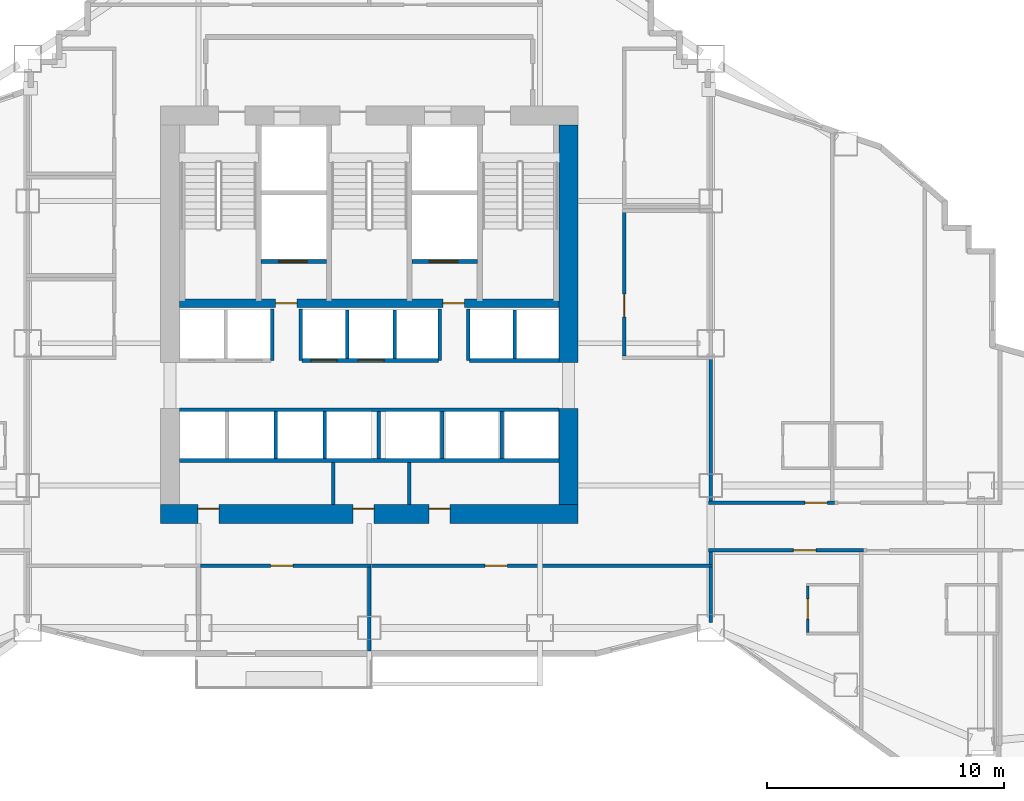
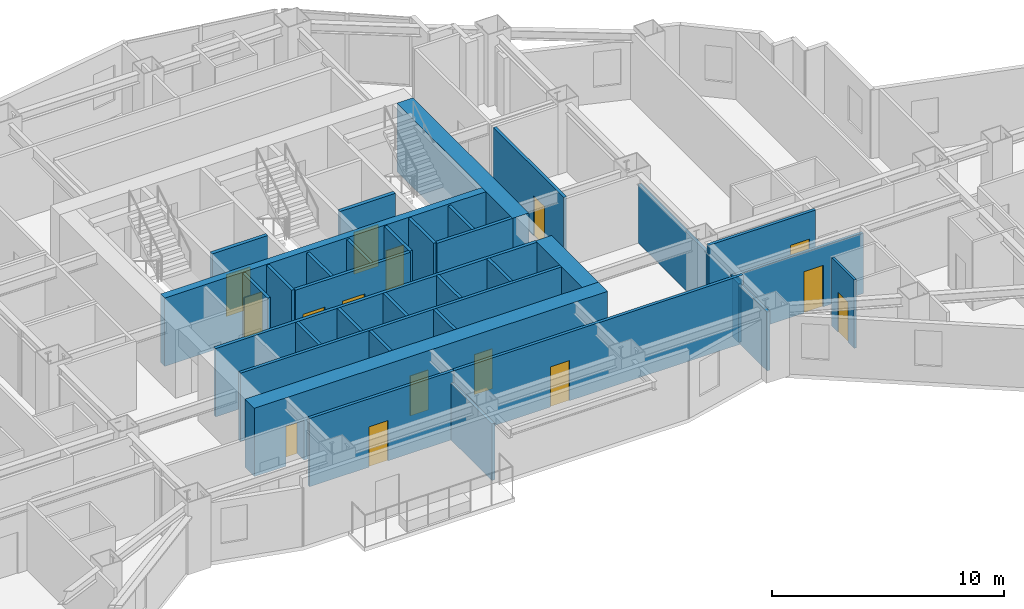
# One storey, part 9 of 15: 34 walls, 15 doors, 15 openings.
"""IFC4 building model written with IfcOpenShell, lengths in metres."""

from ifc_helpers import new_model, si_unit, direction, frame, frame_2d, origin, place, context, subcontext, project, spatial, rectangle, extrude, material, layer, layer_set, type_object, element, fill, save


model = new_model("IFC4")

# Units and contexts
model_context = context("Model", 3, precision=1e-05, world=origin(), true_north=direction((0.0, 1.0)))
body_context = subcontext(model_context, "Body", "Model", "MODEL_VIEW")
ifc_project = project(units=[si_unit("LENGTHUNIT", "METRE"), si_unit("AREAUNIT", "SQUARE_METRE"), si_unit("VOLUMEUNIT", "CUBIC_METRE"), si_unit("PLANEANGLEUNIT", "RADIAN"), si_unit("MASSUNIT", "GRAM", prefix="KILO")], contexts=[model_context])

# Site, building, storey
site_placement = place(None, origin())
site = spatial("IfcSite", under=ifc_project, at=site_placement, CompositionType="ELEMENT")
building_placement = place(site_placement, origin())
building = spatial("IfcBuilding", under=site, at=building_placement, Name="Haolan Belvedere Tower", CompositionType="ELEMENT")
storey_placement = place(building_placement, frame((0.0, 0.0, 66.60009765625)))
storey = spatial("IfcBuildingStorey", under=building, at=storey_placement, Name="L16", CompositionType="ELEMENT", Elevation=66.60009765625)

# Wall, openings, doors
ifc_material_1 = material(Name="Concrete C70/85", Category="concrete")
ifc_layer_1 = layer(ifc_material_1, 0.800048828125, Name="Concrete C70/85")
ifc_layer_set_1 = layer_set([ifc_layer_1], Name="Concrete C70/85")
wall_type_1 = type_object("IfcWallType", Name="WL-CORE-800", PredefinedType="SHEAR", material=ifc_layer_set_1)
wall_1_placement = place(storey_placement, frame((29.60009765625, 26.39990234375, 0.0), z_axis=(0.0, 0.0, 1.0), x_axis=(1.0, 0.0, 0.0)))
wall_1 = element("IfcWall", 1, at=wall_1_placement, inside=storey, type_object=wall_type_1, Name="L16 central core south shear wall", PredefinedType="SHEAR", context=body_context, shape_type="SweptSolid", body=[
    extrude(rectangle(XDim=17.599853515625, YDim=0.800048828125, at=frame_2d((8.7998046875, 0.0))), origin(), (0.0, 0.0, 1.0), 3.599853515625),
])
opening_1_placement = place(wall_1_placement, frame((2.469970703125, 0.0, 0.0), z_axis=(0.0, 0.0, 1.0), x_axis=(-1.0, 0.0, 0.0)))
opening_1 = element("IfcOpeningElement", 2, at=opening_1_placement, cuts=wall_1, Name="Opening FD-05", PredefinedType="OPENING", context=body_context, shape_type="SweptSolid", body=[
    extrude(rectangle(XDim=0.89990234375, YDim=2.10009765625, at=frame_2d((0.449951171875, 1.050048828125))), frame((0.0, 0.409912109375, 0.0), z_axis=(0.0, -1.0, 0.0), x_axis=(1.0, 0.0, 0.0)), (0.0, 0.0, 1.0), 0.820068359375),
])
opening_2_placement = place(wall_1_placement, frame((9.010009765625, 0.0, 0.0), z_axis=(0.0, 0.0, 1.0), x_axis=(-1.0, 0.0, 0.0)))
opening_2 = element("IfcOpeningElement", 3, at=opening_2_placement, cuts=wall_1, Name="Opening FD-05", PredefinedType="OPENING", context=body_context, shape_type="SweptSolid", body=[
    extrude(rectangle(XDim=0.89990234375, YDim=2.10009765625, at=frame_2d((0.449951171875, 1.050048828125))), frame((0.0, 0.409912109375, 0.0), z_axis=(0.0, -1.0, 0.0), x_axis=(1.0, 0.0, 0.0)), (0.0, 0.0, 1.0), 0.820068359375),
])
opening_3_placement = place(wall_1_placement, frame((12.2099609375, 0.0, 0.0), z_axis=(0.0, 0.0, 1.0), x_axis=(-1.0, 0.0, 0.0)))
opening_3 = element("IfcOpeningElement", 4, at=opening_3_placement, cuts=wall_1, Name="Opening FD-05", PredefinedType="OPENING", context=body_context, shape_type="SweptSolid", body=[
    extrude(rectangle(XDim=0.89990234375, YDim=2.10009765625, at=frame_2d((0.449951171875, 1.050048828125))), frame((0.0, 0.409912109375, 0.0), z_axis=(0.0, -1.0, 0.0), x_axis=(1.0, 0.0, 0.0)), (0.0, 0.0, 1.0), 0.820068359375),
])
ifc_material_2 = material(Name="Galvanised fire-rated steel", Category="steel")
door_type_1 = type_object("IfcDoorType", Name="DR-FD60-900", OperationType="NOTDEFINED", PredefinedType="DOOR", material=ifc_material_2)
door_1_placement = place(opening_1_placement, origin())
door_1 = element("IfcDoor", 5, at=door_1_placement, inside=storey, type_object=door_type_1, Name="L16 door CD-L16-SCV-1", OperationType="SINGLE_SWING_LEFT", OverallHeight=2.10009765625, OverallWidth=0.89990234375, PredefinedType="DOOR", context=body_context, shape_type="SweptSolid", body=[
    extrude(rectangle(XDim=0.89990234375, YDim=2.10009765625, at=frame_2d((0.449951171875, 1.050048828125))), frame((0.0, -0.19482421875, 0.0), z_axis=(0.0, -1.0, 0.0), x_axis=(1.0, 0.0, 0.0)), (0.0, 0.0, 1.0), 0.050048828125),
])
fill(opening_1, door_1)
door_2_placement = place(opening_2_placement, origin())
door_2 = element("IfcDoor", 6, at=door_2_placement, inside=storey, type_object=door_type_1, Name="L16 door CD-L16-SCV-2", OperationType="SINGLE_SWING_RIGHT", OverallHeight=2.10009765625, OverallWidth=0.89990234375, PredefinedType="DOOR", context=body_context, shape_type="SweptSolid", body=[
    extrude(rectangle(XDim=0.89990234375, YDim=2.10009765625, at=frame_2d((0.449951171875, 1.050048828125))), frame((0.0, -0.19482421875, 0.0), z_axis=(0.0, -1.0, 0.0), x_axis=(1.0, 0.0, 0.0)), (0.0, 0.0, 1.0), 0.050048828125),
])
fill(opening_2, door_2)
door_3_placement = place(opening_3_placement, origin())
door_3 = element("IfcDoor", 7, at=door_3_placement, inside=storey, type_object=door_type_1, Name="L16 door CD-L16-SCV-3", OperationType="SINGLE_SWING_LEFT", OverallHeight=2.10009765625, OverallWidth=0.89990234375, PredefinedType="DOOR", context=body_context, shape_type="SweptSolid", body=[
    extrude(rectangle(XDim=0.89990234375, YDim=2.10009765625, at=frame_2d((0.449951171875, 1.050048828125))), frame((0.0, -0.19482421875, 0.0), z_axis=(0.0, -1.0, 0.0), x_axis=(1.0, 0.0, 0.0)), (0.0, 0.0, 1.0), 0.050048828125),
])
fill(opening_3, door_3)

# Walls
wall_2_placement = place(storey_placement, frame((46.800048828125, 26.800048828125, 0.0), z_axis=(0.0, 0.0, 1.0), x_axis=(0.0, 1.0, 0.0)))
element("IfcWall", 8, at=wall_2_placement, inside=storey, type_object=wall_type_1, Name="L16 central core shear wall ES", PredefinedType="SHEAR", context=body_context, shape_type="SweptSolid", body=[
    extrude(rectangle(XDim=4.050048828125, YDim=0.800048828125, at=frame_2d((2.02490234375, 0.0))), origin(), (0.0, 0.0, 1.0), 3.599853515625),
])
wall_3_placement = place(storey_placement, frame((46.800048828125, 32.800048828125, 0.0), z_axis=(0.0, 0.0, 1.0), x_axis=(0.0, 1.0, 0.0)))
element("IfcWall", 9, at=wall_3_placement, inside=storey, type_object=wall_type_1, Name="L16 central core shear wall EN", PredefinedType="SHEAR", context=body_context, shape_type="SweptSolid", body=[
    extrude(rectangle(XDim=10.0, YDim=0.800048828125, at=frame_2d((5.0, 0.0))), origin(), (0.0, 0.0, 1.0), 3.599853515625),
])
ifc_material_3 = material(Name="Double gypsum acoustic stud partition", Category="masonry")
ifc_layer_2 = layer(ifc_material_3, 0.14990234375, Name="Double gypsum acoustic stud partition")
ifc_layer_set_2 = layer_set([ifc_layer_2], Name="Double gypsum acoustic stud partition")
wall_type_2 = type_object("IfcWallType", Name="WL-PART-150", PredefinedType="PARTITIONING", material=ifc_layer_set_2)
wall_4_placement = place(storey_placement, frame((30.39990234375, 28.659912109375, 0.0), z_axis=(0.0, 0.0, 1.0), x_axis=(1.0, 0.0, 0.0)))
element("IfcWall", 10, at=wall_4_placement, inside=storey, type_object=wall_type_2, Name="L16 interior partition IW-L16-SSTRIP-N", PredefinedType="PARTITIONING", context=body_context, shape_type="SweptSolid", body=[
    extrude(rectangle(XDim=16.0, YDim=0.14990234375, at=frame_2d((8.0, 0.0))), origin(), (0.0, 0.0, 1.0), 3.599853515625),
])
for number, where, z_axis, x_axis, name in (
    (11, (36.8798828125, 26.81005859375, 0.0), (0.0, 0.0, 1.0), (0.0, 1.0, 0.0), "L16 interior partition IW-L16-SCV-DIV-1"),
    (12, (40.080078125, 26.81005859375, 0.0), (0.0, 0.0, 1.0), (0.0, 1.0, 0.0), "L16 interior partition IW-L16-SCV-DIV-2"),
):
    element("IfcWall", number, at=place(storey_placement, frame(where, z_axis=z_axis, x_axis=x_axis)), inside=storey, type_object=wall_type_2, Name=name, PredefinedType="PARTITIONING", context=body_context, shape_type="SweptSolid", body=[
        extrude(rectangle(XDim=1.77001953125, YDim=0.14990234375, at=frame_2d((0.885009765625, 0.0))), origin(), (0.0, 0.0, 1.0), 3.599853515625),
    ])

# Wall, opening, door
wall_5_placement = place(storey_placement, frame((49.159912109375, 33.06005859375, 0.0), z_axis=(0.0, 0.0, 1.0), x_axis=(0.0, 1.0, 0.0)))
wall_5 = element("IfcWall", 13, at=wall_5_placement, inside=storey, type_object=wall_type_2, Name="L16 interior partition IW-L16-HSK-W", PredefinedType="PARTITIONING", context=body_context, shape_type="SweptSolid", body=[
    extrude(rectangle(XDim=6.079833984375, YDim=0.14990234375, at=frame_2d((3.0400390625, 0.0))), origin(), (0.0, 0.0, 1.0), 3.599853515625),
])
opening_4_placement = place(wall_5_placement, frame((1.659912109375, 0.0, 0.0)))
opening_4 = element("IfcOpeningElement", 14, at=opening_4_placement, cuts=wall_5, Name="Opening ID-03", PredefinedType="OPENING", context=body_context, shape_type="SweptSolid", body=[
    extrude(rectangle(XDim=0.949951171875, YDim=2.1201171875, at=frame_2d((0.47509765625, 1.06005859375))), frame((0.0, 0.0849609375, 0.0), z_axis=(0.0, -1.0, 0.0), x_axis=(1.0, 0.0, 0.0)), (0.0, 0.0, 1.0), 0.169921875),
])
ifc_material_4 = material(Name="Painted solid-core timber", Category="wood")
door_type_2 = type_object("IfcDoorType", Name="DR-INT-950", OperationType="NOTDEFINED", PredefinedType="DOOR", material=ifc_material_4)
door_4_placement = place(opening_4_placement, origin())
door_4 = element("IfcDoor", 15, at=door_4_placement, inside=storey, type_object=door_type_2, Name="L16 door ID-L16-HSK", OperationType="SINGLE_SWING_RIGHT", OverallHeight=2.1201171875, OverallWidth=0.949951171875, PredefinedType="DOOR", context=body_context, shape_type="SweptSolid", body=[
    extrude(rectangle(XDim=0.949951171875, YDim=2.1201171875, at=frame_2d((0.47509765625, 1.06005859375))), frame((0.0, 0.02490234375, 0.0), z_axis=(0.0, -1.0, 0.0), x_axis=(1.0, 0.0, 0.0)), (0.0, 0.0, 1.0), 0.050048828125),
])
fill(opening_4, door_4)

wall_6_placement = place(storey_placement, frame((31.281982421875, 24.219970703125, 0.0), z_axis=(0.0, 0.0, 1.0), x_axis=(1.0, 0.0, 0.0)))
wall_6 = element("IfcWall", 16, at=wall_6_placement, inside=storey, type_object=wall_type_2, Name="L16 interior partition IW-L16-KS2-N", PredefinedType="PARTITIONING", context=body_context, shape_type="SweptSolid", body=[
    extrude(rectangle(XDim=7.197998046875, YDim=0.14990234375, at=frame_2d((3.59912109375, 0.0))), origin(), (0.0, 0.0, 1.0), 3.599853515625),
])
opening_5_placement = place(wall_6_placement, frame((3.912841796875, 0.0, 0.0), z_axis=(0.0, 0.0, 1.0), x_axis=(-1.0, 0.0, 0.0)))
opening_5 = element("IfcOpeningElement", 17, at=opening_5_placement, cuts=wall_6, Name="Opening ID-03", PredefinedType="OPENING", context=body_context, shape_type="SweptSolid", body=[
    extrude(rectangle(XDim=0.949951171875, YDim=2.1201171875, at=frame_2d((0.47509765625, 1.06005859375))), frame((0.0, 0.0849609375, 0.0), z_axis=(0.0, -1.0, 0.0), x_axis=(1.0, 0.0, 0.0)), (0.0, 0.0, 1.0), 0.169921875),
])
door_5_placement = place(opening_5_placement, origin())
door_5 = element("IfcDoor", 18, at=door_5_placement, inside=storey, type_object=door_type_2, Name="L16 door ID-L16-KS2", OperationType="SINGLE_SWING_LEFT", OverallHeight=2.1201171875, OverallWidth=0.949951171875, PredefinedType="DOOR", context=body_context, shape_type="SweptSolid", body=[
    extrude(rectangle(XDim=0.949951171875, YDim=2.1201171875, at=frame_2d((0.47509765625, 1.06005859375))), frame((0.0, 0.02490234375, 0.0), z_axis=(0.0, -1.0, 0.0), x_axis=(1.0, 0.0, 0.0)), (0.0, 0.0, 1.0), 0.050048828125),
])
fill(opening_5, door_5)

# Wall
wall_7_placement = place(storey_placement, frame((38.39990234375, 20.625, 0.0), z_axis=(0.0, 0.0, 1.0), x_axis=(0.0, 1.0, 0.0)))
element("IfcWall", 19, at=wall_7_placement, inside=storey, type_object=wall_type_2, Name="L16 interior partition IW-L16-KS2-E", PredefinedType="PARTITIONING", context=body_context, shape_type="SweptSolid", body=[
    extrude(rectangle(XDim=3.534912109375, YDim=0.14990234375, at=frame_2d((1.767578125, 0.0))), origin(), (0.0, 0.0, 1.0), 2.98486328125),
])

# Wall, opening, door
wall_8_placement = place(storey_placement, frame((38.48193359375, 24.219970703125, 0.0), z_axis=(0.0, 0.0, 1.0), x_axis=(1.0, 0.0, 0.0)))
wall_8 = element("IfcWall", 20, at=wall_8_placement, inside=storey, type_object=wall_type_2, Name="L16 interior partition IW-L16-KS3-N", PredefinedType="PARTITIONING", context=body_context, shape_type="SweptSolid", body=[
    extrude(rectangle(XDim=14.39794921875, YDim=0.14990234375, at=frame_2d((7.198974609375, 0.0))), origin(), (0.0, 0.0, 1.0), 3.599853515625),
])
opening_6_placement = place(wall_8_placement, frame((5.742919921875, 0.0, 0.0), z_axis=(0.0, 0.0, 1.0), x_axis=(-1.0, 0.0, 0.0)))
opening_6 = element("IfcOpeningElement", 21, at=opening_6_placement, cuts=wall_8, Name="Opening ID-03", PredefinedType="OPENING", context=body_context, shape_type="SweptSolid", body=[
    extrude(rectangle(XDim=0.949951171875, YDim=2.1201171875, at=frame_2d((0.47509765625, 1.06005859375))), frame((0.0, 0.0849609375, 0.0), z_axis=(0.0, -1.0, 0.0), x_axis=(1.0, 0.0, 0.0)), (0.0, 0.0, 1.0), 0.169921875),
])
door_6_placement = place(opening_6_placement, origin())
door_6 = element("IfcDoor", 22, at=door_6_placement, inside=storey, type_object=door_type_2, Name="L16 door ID-L16-KS3", OperationType="SINGLE_SWING_RIGHT", OverallHeight=2.1201171875, OverallWidth=0.949951171875, PredefinedType="DOOR", context=body_context, shape_type="SweptSolid", body=[
    extrude(rectangle(XDim=0.949951171875, YDim=2.1201171875, at=frame_2d((0.47509765625, 1.06005859375))), frame((0.0, 0.02490234375, 0.0), z_axis=(0.0, -1.0, 0.0), x_axis=(1.0, 0.0, 0.0)), (0.0, 0.0, 1.0), 0.050048828125),
])
fill(opening_6, door_6)

# Wall
wall_9_placement = place(storey_placement, frame((52.800048828125, 21.818603515625, 0.0), z_axis=(0.0, 0.0, 1.0), x_axis=(0.0, 1.0, 0.0)))
element("IfcWall", 23, at=wall_9_placement, inside=storey, type_object=wall_type_2, Name="L16 interior partition IW-L16-KS3-E", PredefinedType="PARTITIONING", context=body_context, shape_type="SweptSolid", body=[
    extrude(rectangle(XDim=2.34130859375, YDim=0.14990234375, at=frame_2d((1.170654296875, 0.0))), origin(), (0.0, 0.0, 1.0), 3.096923828125),
])

# Wall, opening, door
wall_10_placement = place(storey_placement, frame((52.699951171875, 26.8798828125, 0.0), z_axis=(0.0, 0.0, 1.0), x_axis=(1.0, 0.0, 0.0)))
wall_10 = element("IfcWall", 24, at=wall_10_placement, inside=storey, type_object=wall_type_2, Name="L16 interior partition IW-L16-T4N1-S", PredefinedType="PARTITIONING", context=body_context, shape_type="SweptSolid", body=[
    extrude(rectangle(XDim=5.320068359375, YDim=0.14990234375, at=frame_2d((2.66015625, 0.0))), origin(), (0.0, 0.0, 1.0), 3.599853515625),
])
opening_7_placement = place(wall_10_placement, frame((4.0654296875, 0.0, 0.0)))
opening_7 = element("IfcOpeningElement", 25, at=opening_7_placement, cuts=wall_10, Name="Opening ID-01", PredefinedType="OPENING", context=body_context, shape_type="SweptSolid", body=[
    extrude(rectangle(XDim=0.949951171875, YDim=2.179931640625, at=frame_2d((0.47509765625, 1.08984375))), frame((0.0, 0.0849609375, 0.0), z_axis=(0.0, -1.0, 0.0), x_axis=(1.0, 0.0, 0.0)), (0.0, 0.0, 1.0), 0.169921875),
])
ifc_material_5 = material(Name="Acoustic walnut veneer fire-rated timber", Category="wood")
door_type_3 = type_object("IfcDoorType", Name="DR-SUITE-950", OperationType="NOTDEFINED", PredefinedType="DOOR", material=ifc_material_5)
door_7_placement = place(opening_7_placement, origin())
door_7 = element("IfcDoor", 26, at=door_7_placement, inside=storey, type_object=door_type_3, Name="L16 door ID-L16-T4N1-ENT", OperationType="SINGLE_SWING_LEFT", OverallHeight=2.179931640625, OverallWidth=0.949951171875, PredefinedType="DOOR", context=body_context, shape_type="SweptSolid", body=[
    extrude(rectangle(XDim=0.949951171875, YDim=2.179931640625, at=frame_2d((0.47509765625, 1.08984375))), frame((0.0, 0.02490234375, 0.0), z_axis=(0.0, -1.0, 0.0), x_axis=(1.0, 0.0, 0.0)), (0.0, 0.0, 1.0), 0.050048828125),
])
fill(opening_7, door_7)

# Wall
wall_11_placement = place(storey_placement, frame((52.800048828125, 26.93994140625, 0.0), z_axis=(0.0, 0.0, 1.0), x_axis=(0.0, 1.0, 0.0)))
element("IfcWall", 27, at=wall_11_placement, inside=storey, type_object=wall_type_2, Name="L16 interior partition IW-L16-T4N1-W", PredefinedType="PARTITIONING", context=body_context, shape_type="SweptSolid", body=[
    extrude(rectangle(XDim=6.0, YDim=0.14990234375, at=frame_2d((3.0, 0.0))), origin(), (0.0, 0.0, 1.0), 3.096923828125),
])

# Wall, opening, door
wall_12_placement = place(storey_placement, frame((52.699951171875, 24.8701171875, 0.0), z_axis=(0.0, 0.0, 1.0), x_axis=(1.0, 0.0, 0.0)))
wall_12 = element("IfcWall", 28, at=wall_12_placement, inside=storey, type_object=wall_type_2, Name="L16 interior partition IW-L16-T4S1-N", PredefinedType="PARTITIONING", context=body_context, shape_type="SweptSolid", body=[
    extrude(rectangle(XDim=6.5400390625, YDim=0.14990234375, at=frame_2d((3.27001953125, 0.0))), origin(), (0.0, 0.0, 1.0), 3.184814453125),
])
opening_8_placement = place(wall_12_placement, frame((4.540771484375, 0.0, 0.0), z_axis=(0.0, 0.0, 1.0), x_axis=(-1.0, 0.0, 0.0)))
opening_8 = element("IfcOpeningElement", 29, at=opening_8_placement, cuts=wall_12, Name="Opening ID-01", PredefinedType="OPENING", context=body_context, shape_type="SweptSolid", body=[
    extrude(rectangle(XDim=0.949951171875, YDim=2.179931640625, at=frame_2d((0.47509765625, 1.08984375))), frame((0.0, 0.0849609375, 0.0), z_axis=(0.0, -1.0, 0.0), x_axis=(1.0, 0.0, 0.0)), (0.0, 0.0, 1.0), 0.169921875),
])
door_8_placement = place(opening_8_placement, origin())
door_8 = element("IfcDoor", 30, at=door_8_placement, inside=storey, type_object=door_type_3, Name="L16 door ID-L16-T4S1-ENT", OperationType="SINGLE_SWING_RIGHT", OverallHeight=2.179931640625, OverallWidth=0.949951171875, PredefinedType="DOOR", context=body_context, shape_type="SweptSolid", body=[
    extrude(rectangle(XDim=0.949951171875, YDim=2.179931640625, at=frame_2d((0.47509765625, 1.08984375))), frame((0.0, 0.02490234375, 0.0), z_axis=(0.0, -1.0, 0.0), x_axis=(1.0, 0.0, 0.0)), (0.0, 0.0, 1.0), 0.050048828125),
])
fill(opening_8, door_8)

# Walls
wall_13_placement = place(storey_placement, frame((52.800048828125, 24.280029296875, 0.0), z_axis=(0.0, 0.0, 1.0), x_axis=(0.0, 1.0, 0.0)))
element("IfcWall", 31, at=wall_13_placement, inside=storey, type_object=wall_type_2, Name="L16 interior partition IW-L16-T4S1-W", PredefinedType="PARTITIONING", context=body_context, shape_type="SweptSolid", body=[
    extrude(rectangle(XDim=0.530029296875, YDim=0.14990234375, at=frame_2d((0.26513671875, 0.0))), origin(), (0.0, 0.0, 1.0), 3.096923828125),
])
ifc_material_6 = material(Name="Gypsum fire shaftwall assembly", Category="masonry")
ifc_layer_3 = layer(ifc_material_6, 0.1650390625, Name="Gypsum fire shaftwall assembly")
ifc_layer_set_3 = layer_set([ifc_layer_3], Name="Gypsum fire shaftwall assembly")
wall_type_3 = type_object("IfcWallType", Name="WL-SHAFT-160", PredefinedType="SOLIDWALL", material=ifc_layer_set_3)
for number, where, z_axis, x_axis, name in (
    (32, (34.31005859375, 32.8798828125, 0.0), (0.0, 0.0, 1.0), (0.0, 1.0, 0.0), "L16 interior partition IW-L16-SVP-W-SV1"),
    (33, (35.510009765625, 32.8798828125, 0.0), (0.0, 0.0, 1.0), (0.0, 1.0, 0.0), "L16 interior partition IW-L16-SVP-E-SV1"),
    (34, (41.3701171875, 32.8798828125, 0.0), (0.0, 0.0, 1.0), (0.0, 1.0, 0.0), "L16 interior partition IW-L16-SVP-W-SV2"),
    (35, (42.570068359375, 32.8798828125, 0.0), (0.0, 0.0, 1.0), (0.0, 1.0, 0.0), "L16 interior partition IW-L16-SVP-E-SV2"),
):
    element("IfcWall", number, at=place(storey_placement, frame(where, z_axis=z_axis, x_axis=x_axis)), inside=storey, type_object=wall_type_3, Name=name, PredefinedType="SOLIDWALL", context=body_context, shape_type="SweptSolid", body=[
        extrude(rectangle(XDim=2.170166015625, YDim=0.14990234375, at=frame_2d((1.0849609375, 0.0))), origin(), (0.0, 0.0, 1.0), 3.599853515625),
    ])

# Wall, openings, doors
wall_14_placement = place(storey_placement, frame((35.570068359375, 32.8798828125, 0.0), z_axis=(0.0, 0.0, 1.0), x_axis=(1.0, 0.0, 0.0)))
wall_14 = element("IfcWall", 36, at=wall_14_placement, inside=storey, type_object=wall_type_3, Name="L16 interior partition IW-L16-ROW-PN2", PredefinedType="SOLIDWALL", context=body_context, shape_type="SweptSolid", body=[
    extrude(rectangle(XDim=5.739990234375, YDim=0.159912109375, at=frame_2d((2.8701171875, 0.0))), origin(), (0.0, 0.0, 1.0), 3.599853515625),
])
opening_9_placement = place(wall_14_placement, frame((1.47021484375, 0.0, 0.0), z_axis=(0.0, 0.0, 1.0), x_axis=(-1.0, 0.0, 0.0)))
opening_9 = element("IfcOpeningElement", 37, at=opening_9_placement, cuts=wall_14, Name="Opening LD-01", PredefinedType="OPENING", context=body_context, shape_type="SweptSolid", body=[
    extrude(rectangle(XDim=1.10009765625, YDim=2.199951171875, at=frame_2d((0.550048828125, 1.10009765625))), frame((0.0, 0.08984375, 0.0), z_axis=(0.0, -1.0, 0.0), x_axis=(1.0, 0.0, 0.0)), (0.0, 0.0, 1.0), 0.179931640625),
])
opening_10_placement = place(wall_14_placement, frame((3.460205078125, 0.0, 0.0), z_axis=(0.0, 0.0, 1.0), x_axis=(-1.0, 0.0, 0.0)))
opening_10 = element("IfcOpeningElement", 38, at=opening_10_placement, cuts=wall_14, Name="Opening LD-01", PredefinedType="OPENING", context=body_context, shape_type="SweptSolid", body=[
    extrude(rectangle(XDim=1.10009765625, YDim=2.199951171875, at=frame_2d((0.550048828125, 1.10009765625))), frame((0.0, 0.08984375, 0.0), z_axis=(0.0, -1.0, 0.0), x_axis=(1.0, 0.0, 0.0)), (0.0, 0.0, 1.0), 0.179931640625),
])
ifc_material_7 = material(Name="Brushed champagne stainless steel 316L", Category="steel")
door_type_4 = type_object("IfcDoorType", Name="DR-LIFT-1100", OperationType="SLIDING_TO_LEFT", PredefinedType="DOOR", material=ifc_material_7)
door_9_placement = place(opening_9_placement, origin())
door_9 = element("IfcDoor", 39, at=door_9_placement, inside=storey, type_object=door_type_4, Name="L16 door ID-L16-LD-PL3", OperationType="SLIDING_TO_LEFT", OverallHeight=2.199951171875, OverallWidth=1.10009765625, PredefinedType="DOOR", context=body_context, shape_type="SweptSolid", body=[
    extrude(rectangle(XDim=1.10009765625, YDim=2.199951171875, at=frame_2d((0.550048828125, 1.10009765625))), frame((0.0, 0.02490234375, 0.0), z_axis=(0.0, -1.0, 0.0), x_axis=(1.0, 0.0, 0.0)), (0.0, 0.0, 1.0), 0.050048828125),
])
fill(opening_9, door_9)
door_10_placement = place(opening_10_placement, origin())
door_10 = element("IfcDoor", 40, at=door_10_placement, inside=storey, type_object=door_type_4, Name="L16 door ID-L16-LD-PL4", OperationType="SLIDING_TO_LEFT", OverallHeight=2.199951171875, OverallWidth=1.10009765625, PredefinedType="DOOR", context=body_context, shape_type="SweptSolid", body=[
    extrude(rectangle(XDim=1.10009765625, YDim=2.199951171875, at=frame_2d((0.550048828125, 1.10009765625))), frame((0.0, 0.02490234375, 0.0), z_axis=(0.0, -1.0, 0.0), x_axis=(1.0, 0.0, 0.0)), (0.0, 0.0, 1.0), 0.050048828125),
])
fill(opening_10, door_10)

# Walls
wall_15_placement = place(storey_placement, frame((42.6298828125, 32.8798828125, 0.0), z_axis=(0.0, 0.0, 1.0), x_axis=(1.0, 0.0, 0.0)))
element("IfcWall", 41, at=wall_15_placement, inside=storey, type_object=wall_type_3, Name="L16 interior partition IW-L16-ROW-PN3", PredefinedType="SOLIDWALL", context=body_context, shape_type="SweptSolid", body=[
    extrude(rectangle(XDim=3.77001953125, YDim=0.159912109375, at=frame_2d((1.885009765625, 0.0))), origin(), (0.0, 0.0, 1.0), 3.599853515625),
])
for number, where, z_axis, x_axis, name in (
    (42, (37.47998046875, 32.949951171875, 0.0), (0.0, 0.0, 1.0), (0.0, 1.0, 0.0), "L16 interior partition IW-L16-DIV-PL3"),
    (43, (39.469970703125, 32.949951171875, 0.0), (0.0, 0.0, 1.0), (0.0, 1.0, 0.0), "L16 interior partition IW-L16-DIV-PL4"),
    (44, (44.530029296875, 32.949951171875, 0.0), (0.0, 0.0, 1.0), (0.0, 1.0, 0.0), "L16 interior partition IW-L16-DIV-PH2"),
):
    element("IfcWall", number, at=place(storey_placement, frame(where, z_axis=z_axis, x_axis=x_axis)), inside=storey, type_object=wall_type_3, Name=name, PredefinedType="SOLIDWALL", context=body_context, shape_type="SweptSolid", body=[
        extrude(rectangle(XDim=2.050048828125, YDim=0.14990234375, at=frame_2d((1.02490234375, 0.0))), origin(), (0.0, 0.0, 1.0), 3.599853515625),
    ])
wall_16_placement = place(storey_placement, frame((30.39990234375, 30.800048828125, 0.0), z_axis=(0.0, 0.0, 1.0), x_axis=(1.0, 0.0, 0.0)))
element("IfcWall", 45, at=wall_16_placement, inside=storey, type_object=wall_type_3, Name="L16 interior partition IW-L16-ROW-PS", PredefinedType="SOLIDWALL", context=body_context, shape_type="SweptSolid", body=[
    extrude(rectangle(XDim=16.0, YDim=0.159912109375, at=frame_2d((8.0, 0.0))), origin(), (0.0, 0.0, 1.0), 3.599853515625),
])
for number, where, z_axis, x_axis, name in (
    (46, (34.4599609375, 28.735107421875, 0.0), (0.0, 0.0, 1.0), (0.0, 1.0, 0.0), "L16 interior partition IW-L16-DIV-PM2"),
    (47, (36.52001953125, 28.735107421875, 0.0), (0.0, 0.0, 1.0), (0.0, 1.0, 0.0), "L16 interior partition IW-L16-DIV-PM3"),
    (48, (38.800048828125, 28.735107421875, 0.0), (0.0, 0.0, 1.0), (0.0, 1.0, 0.0), "L16 interior partition IW-L16-DIV-PM4"),
):
    element("IfcWall", number, at=place(storey_placement, frame(where, z_axis=z_axis, x_axis=x_axis)), inside=storey, type_object=wall_type_3, Name=name, PredefinedType="SOLIDWALL", context=body_context, shape_type="SweptSolid", body=[
        extrude(rectangle(XDim=1.98486328125, YDim=0.14990234375, at=frame_2d((0.992431640625, 0.0))), origin(), (0.0, 0.0, 1.0), 3.599853515625),
    ])
for number, where, z_axis, x_axis, name in (
    (49, (41.469970703125, 28.75, 0.0), (0.0, 0.0, 1.0), (0.0, 1.0, 0.0), "L16 interior partition IW-L16-DIV-OB1"),
    (50, (43.97998046875, 28.75, 0.0), (0.0, 0.0, 1.0), (0.0, 1.0, 0.0), "L16 interior partition IW-L16-DIV-OB2"),
):
    element("IfcWall", number, at=place(storey_placement, frame(where, z_axis=z_axis, x_axis=x_axis)), inside=storey, type_object=wall_type_3, Name=name, PredefinedType="SOLIDWALL", context=body_context, shape_type="SweptSolid", body=[
        extrude(rectangle(XDim=1.985107421875, YDim=0.14990234375, at=frame_2d((0.99267578125, 0.0))), origin(), (0.0, 0.0, 1.0), 3.599853515625),
    ])

# Wall, opening, door
ifc_material_8 = material(Name="Precast concrete C40/50", Category="concrete")
ifc_layer_4 = layer(ifc_material_8, 0.179931640625, Name="Precast concrete C40/50")
ifc_layer_set_4 = layer_set([ifc_layer_4], Name="Precast concrete C40/50")
wall_type_4 = type_object("IfcWallType", Name="WL-SHAFT-180", PredefinedType="SOLIDWALL", material=ifc_layer_set_4)
wall_17_placement = place(storey_placement, frame((33.8349609375, 37.050048828125, 0.0), z_axis=(0.0, 0.0, 1.0), x_axis=(1.0, 0.0, 0.0)))
wall_17 = element("IfcWall", 51, at=wall_17_placement, inside=storey, type_object=wall_type_4, Name="L16 interior partition IW-L16-SV1-S", PredefinedType="SOLIDWALL", context=body_context, shape_type="SweptSolid", body=[
    extrude(rectangle(XDim=2.77001953125, YDim=0.179931640625, at=frame_2d((1.385009765625, 0.0))), origin(), (0.0, 0.0, 1.0), 3.599853515625),
])
opening_11_placement = place(wall_17_placement, frame((1.945068359375, 0.0, 0.0), z_axis=(0.0, 0.0, 1.0), x_axis=(-1.0, 0.0, 0.0)))
opening_11 = element("IfcOpeningElement", 52, at=opening_11_placement, cuts=wall_17, Name="Opening LD-02", PredefinedType="OPENING", context=body_context, shape_type="SweptSolid", body=[
    extrude(rectangle(XDim=1.199951171875, YDim=2.199951171875, at=frame_2d((0.60009765625, 1.10009765625))), frame((0.0, 0.099853515625, 0.0), z_axis=(0.0, -1.0, 0.0), x_axis=(1.0, 0.0, 0.0)), (0.0, 0.0, 1.0), 0.199951171875),
])
door_type_5 = type_object("IfcDoorType", Name="DR-LIFT-1200", OperationType="SLIDING_TO_RIGHT", PredefinedType="DOOR", material=ifc_material_7)
door_11_placement = place(opening_11_placement, origin())
door_11 = element("IfcDoor", 53, at=door_11_placement, inside=storey, type_object=door_type_5, Name="L16 door ID-L16-LD-SV1", OperationType="SLIDING_TO_RIGHT", OverallHeight=2.199951171875, OverallWidth=1.199951171875, PredefinedType="DOOR", context=body_context, shape_type="SweptSolid", body=[
    extrude(rectangle(XDim=1.199951171875, YDim=2.199951171875, at=frame_2d((0.60009765625, 1.10009765625))), frame((0.0, 0.02490234375, 0.0), z_axis=(0.0, -1.0, 0.0), x_axis=(1.0, 0.0, 0.0)), (0.0, 0.0, 1.0), 0.050048828125),
])
fill(opening_11, door_11)

wall_18_placement = place(storey_placement, frame((40.195068359375, 37.050048828125, 0.0), z_axis=(0.0, 0.0, 1.0), x_axis=(1.0, 0.0, 0.0)))
wall_18 = element("IfcWall", 54, at=wall_18_placement, inside=storey, type_object=wall_type_4, Name="L16 interior partition IW-L16-SV2-S", PredefinedType="SOLIDWALL", context=body_context, shape_type="SweptSolid", body=[
    extrude(rectangle(XDim=2.77001953125, YDim=0.179931640625, at=frame_2d((1.385009765625, 0.0))), origin(), (0.0, 0.0, 1.0), 3.599853515625),
])
opening_12_placement = place(wall_18_placement, frame((1.945068359375, 0.0, 0.0), z_axis=(0.0, 0.0, 1.0), x_axis=(-1.0, 0.0, 0.0)))
opening_12 = element("IfcOpeningElement", 55, at=opening_12_placement, cuts=wall_18, Name="Opening LD-02", PredefinedType="OPENING", context=body_context, shape_type="SweptSolid", body=[
    extrude(rectangle(XDim=1.199951171875, YDim=2.199951171875, at=frame_2d((0.60009765625, 1.10009765625))), frame((0.0, 0.099853515625, 0.0), z_axis=(0.0, -1.0, 0.0), x_axis=(1.0, 0.0, 0.0)), (0.0, 0.0, 1.0), 0.199951171875),
])
door_12_placement = place(opening_12_placement, origin())
door_12 = element("IfcDoor", 56, at=door_12_placement, inside=storey, type_object=door_type_5, Name="L16 door ID-L16-LD-SV2", OperationType="SLIDING_TO_RIGHT", OverallHeight=2.199951171875, OverallWidth=1.199951171875, PredefinedType="DOOR", context=body_context, shape_type="SweptSolid", body=[
    extrude(rectangle(XDim=1.199951171875, YDim=2.199951171875, at=frame_2d((0.60009765625, 1.10009765625))), frame((0.0, 0.02490234375, 0.0), z_axis=(0.0, -1.0, 0.0), x_axis=(1.0, 0.0, 0.0)), (0.0, 0.0, 1.0), 0.050048828125),
])
fill(opening_12, door_12)

# Wall, openings, doors
ifc_material_9 = material(Name="Concrete C60/75", Category="concrete")
ifc_layer_5 = layer(ifc_material_9, 0.360107421875, Name="Concrete C60/75")
ifc_layer_set_5 = layer_set([ifc_layer_5], Name="Concrete C60/75")
wall_type_5 = type_object("IfcWallType", Name="WL-WEB-350", PredefinedType="SHEAR", material=ifc_layer_set_5)
wall_19_placement = place(storey_placement, frame((30.39990234375, 35.2900390625, 0.0), z_axis=(0.0, 0.0, 1.0), x_axis=(1.0, 0.0, 0.0)))
wall_19 = element("IfcWall", 57, at=wall_19_placement, inside=storey, type_object=wall_type_5, Name="L16 central core internal shear web", PredefinedType="SHEAR", context=body_context, shape_type="SweptSolid", body=[
    extrude(rectangle(XDim=16.0, YDim=0.360107421875, at=frame_2d((8.0, 0.0))), origin(), (0.0, 0.0, 1.0), 3.599853515625),
])
opening_13_placement = place(wall_19_placement, frame((4.949951171875, 0.0, 0.0), z_axis=(0.0, 0.0, 1.0), x_axis=(-1.0, 0.0, 0.0)))
opening_13 = element("IfcOpeningElement", 58, at=opening_13_placement, cuts=wall_19, Name="Opening FD-05", PredefinedType="OPENING", context=body_context, shape_type="SweptSolid", body=[
    extrude(rectangle(XDim=0.89990234375, YDim=2.10009765625, at=frame_2d((0.449951171875, 1.050048828125))), frame((0.0, 0.18994140625, 0.0), z_axis=(0.0, -1.0, 0.0), x_axis=(1.0, 0.0, 0.0)), (0.0, 0.0, 1.0), 0.380126953125),
])
opening_14_placement = place(wall_19_placement, frame((12.010009765625, 0.0, 0.0), z_axis=(0.0, 0.0, 1.0), x_axis=(-1.0, 0.0, 0.0)))
opening_14 = element("IfcOpeningElement", 59, at=opening_14_placement, cuts=wall_19, Name="Opening FD-05", PredefinedType="OPENING", context=body_context, shape_type="SweptSolid", body=[
    extrude(rectangle(XDim=0.89990234375, YDim=2.10009765625, at=frame_2d((0.449951171875, 1.050048828125))), frame((0.0, 0.18994140625, 0.0), z_axis=(0.0, -1.0, 0.0), x_axis=(1.0, 0.0, 0.0)), (0.0, 0.0, 1.0), 0.380126953125),
])
door_13_placement = place(opening_13_placement, origin())
door_13 = element("IfcDoor", 60, at=door_13_placement, inside=storey, type_object=door_type_1, Name="L16 door CD-L16-SVL-SV1", OperationType="SINGLE_SWING_RIGHT", OverallHeight=2.10009765625, OverallWidth=0.89990234375, PredefinedType="DOOR", context=body_context, shape_type="SweptSolid", body=[
    extrude(rectangle(XDim=0.89990234375, YDim=2.10009765625, at=frame_2d((0.449951171875, 1.050048828125))), frame((0.0, 0.02490234375, 0.0), z_axis=(0.0, -1.0, 0.0), x_axis=(1.0, 0.0, 0.0)), (0.0, 0.0, 1.0), 0.050048828125),
])
fill(opening_13, door_13)
door_14_placement = place(opening_14_placement, origin())
door_14 = element("IfcDoor", 61, at=door_14_placement, inside=storey, type_object=door_type_1, Name="L16 door CD-L16-SVL-SV2", OperationType="SINGLE_SWING_RIGHT", OverallHeight=2.10009765625, OverallWidth=0.89990234375, PredefinedType="DOOR", context=body_context, shape_type="SweptSolid", body=[
    extrude(rectangle(XDim=0.89990234375, YDim=2.10009765625, at=frame_2d((0.449951171875, 1.050048828125))), frame((0.0, 0.02490234375, 0.0), z_axis=(0.0, -1.0, 0.0), x_axis=(1.0, 0.0, 0.0)), (0.0, 0.0, 1.0), 0.050048828125),
])
fill(opening_14, door_14)

# Wall, opening, door
ifc_material_10 = material(Name="Moisture-resistant gypsum tile partition", Category="masonry")
ifc_layer_6 = layer(ifc_material_10, 0.1201171875, Name="Moisture-resistant gypsum tile partition")
ifc_layer_set_6 = layer_set([ifc_layer_6], Name="Moisture-resistant gypsum tile partition")
wall_type_6 = type_object("IfcWallType", Name="WL-WET-120", PredefinedType="PARTITIONING", material=ifc_layer_set_6)
wall_20_placement = place(storey_placement, frame((56.889892578125, 21.4150390625, 0.0), z_axis=(0.0, 0.0, 1.0), x_axis=(0.0, 1.0, 0.0)))
wall_20 = element("IfcWall", 62, at=wall_20_placement, inside=storey, type_object=wall_type_6, Name="L16 interior partition IW-L16-T4S1-BW", PredefinedType="PARTITIONING", context=body_context, shape_type="SweptSolid", body=[
    extrude(rectangle(XDim=1.9599609375, YDim=0.1201171875, at=frame_2d((0.97998046875, 0.0))), origin(), (0.0, 0.0, 1.0), 3.599853515625),
])
opening_15_placement = place(wall_20_placement, frame((1.405029296875, 0.0, 0.0), z_axis=(0.0, 0.0, 1.0), x_axis=(-1.0, 0.0, 0.0)))
opening_15 = element("IfcOpeningElement", 63, at=opening_15_placement, cuts=wall_20, Name="Opening ID-05", PredefinedType="OPENING", context=body_context, shape_type="SweptSolid", body=[
    extrude(rectangle(XDim=0.85009765625, YDim=2.10009765625, at=frame_2d((0.425048828125, 1.050048828125))), frame((0.0, 0.070068359375, 0.0), z_axis=(0.0, -1.0, 0.0), x_axis=(1.0, 0.0, 0.0)), (0.0, 0.0, 1.0), 0.14013671875),
])
ifc_material_11 = material(Name="Moisture-resistant lacquered timber", Category="wood")
door_type_6 = type_object("IfcDoorType", Name="DR-BATH-850", OperationType="NOTDEFINED", PredefinedType="DOOR", material=ifc_material_11)
door_15_placement = place(opening_15_placement, origin())
door_15 = element("IfcDoor", 64, at=door_15_placement, inside=storey, type_object=door_type_6, Name="L16 door ID-L16-T4S1-BATH", OperationType="SINGLE_SWING_LEFT", OverallHeight=2.10009765625, OverallWidth=0.85009765625, PredefinedType="DOOR", context=body_context, shape_type="SweptSolid", body=[
    extrude(rectangle(XDim=0.85009765625, YDim=2.10009765625, at=frame_2d((0.425048828125, 1.050048828125))), frame((0.0, 0.02490234375, 0.0), z_axis=(0.0, -1.0, 0.0), x_axis=(1.0, 0.0, 0.0)), (0.0, 0.0, 1.0), 0.050048828125),
])
fill(opening_15, door_15)

save(model, "model.ifc")
